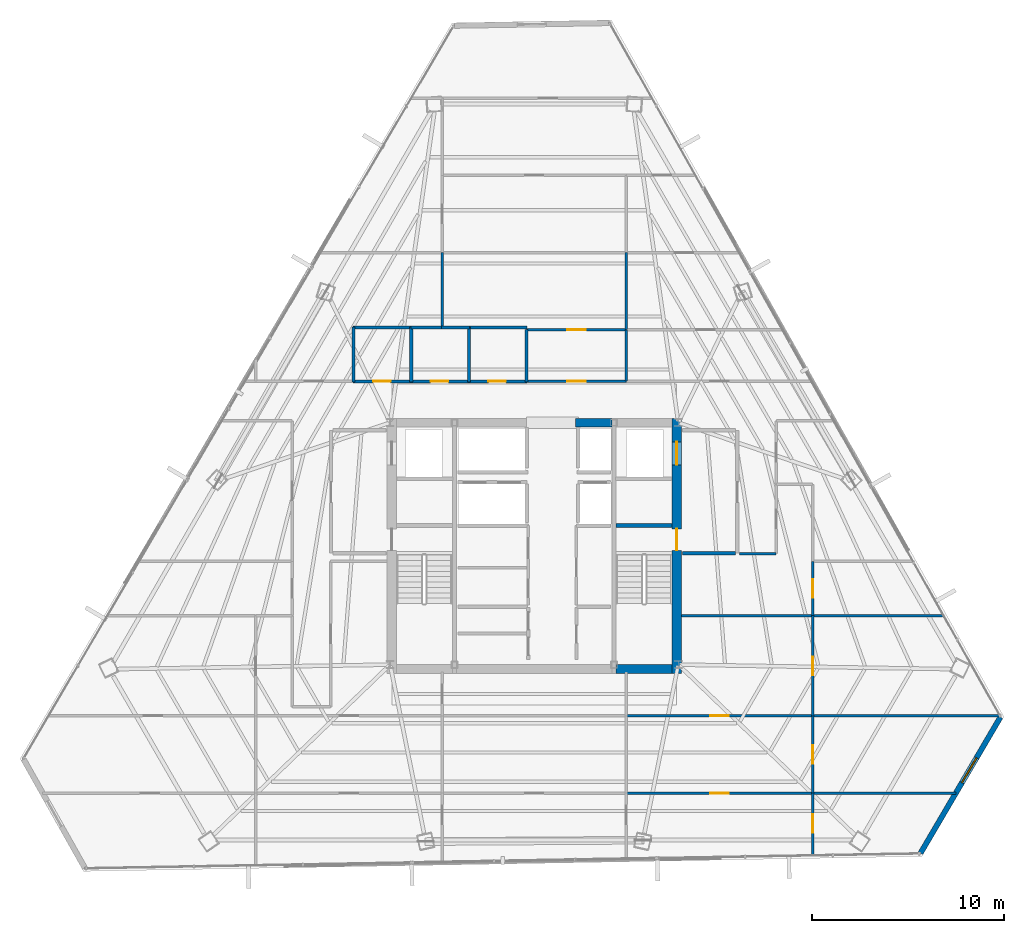
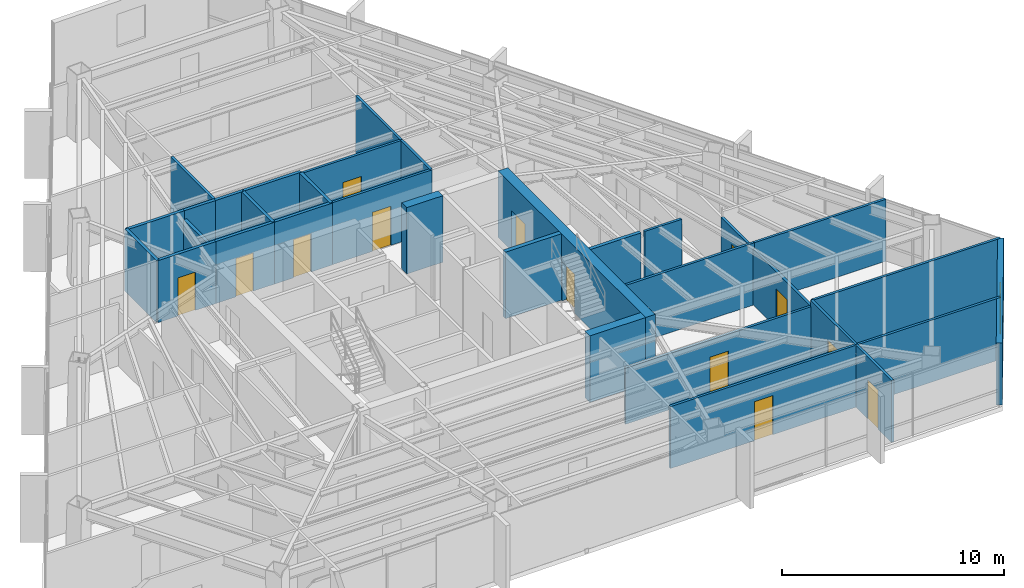
# One storey, part 38 of 44: 33 walls, 13 doors, 1 window, 14 openings.
"""IFC4 building model written with IfcOpenShell, lengths in metres."""

from ifc_helpers import new_model, si_unit, direction, frame, frame_2d, origin, place, context, subcontext, project, spatial, rectangle, extrude, material, layer, layer_set, type_object, element, fill, save


model = new_model("IFC4")

# Units and contexts
model_context = context("Model", 3, precision=1e-05, world=origin(), true_north=direction((0.0, 1.0)))
body_context = subcontext(model_context, "Body", "Model", "MODEL_VIEW")
ifc_project = project(units=[si_unit("LENGTHUNIT", "METRE"), si_unit("AREAUNIT", "SQUARE_METRE"), si_unit("VOLUMEUNIT", "CUBIC_METRE"), si_unit("PLANEANGLEUNIT", "RADIAN"), si_unit("MASSUNIT", "GRAM", prefix="KILO")], contexts=[model_context])

# Site, building, storey
site_placement = place(None, origin())
site = spatial("IfcSite", under=ifc_project, at=site_placement, CompositionType="ELEMENT")
building_placement = place(site_placement, origin())
building = spatial("IfcBuilding", under=site, at=building_placement, Name="Caelisora Broadcast Tower", CompositionType="ELEMENT")
storey_placement = place(building_placement, frame((0.0, 0.0, 198.64990234375)))
storey = spatial("IfcBuildingStorey", under=building, at=storey_placement, Name="L52", CompositionType="ELEMENT", Elevation=198.64990234375)

# Wall, openings, doors
ifc_material_1 = material(Name="Concrete 50 MPa (AS 3600 S50)", Category="concrete")
ifc_layer_1 = layer(ifc_material_1, 0.5, Name="Concrete 50 MPa (AS 3600 S50)")
ifc_layer_set_1 = layer_set([ifc_layer_1], Name="Concrete 50 MPa (AS 3600 S50)")
wall_type_1 = type_object("IfcWallType", Name="CW2", PredefinedType="SHEAR", material=ifc_layer_set_1)
wall_1_placement = place(storey_placement, frame((45.409912109375, 16.949951171875, 0.0), z_axis=(0.0, 0.0, 1.0), x_axis=(0.0, 1.0, 0.0)))
wall_1 = element("IfcWall", 1, at=wall_1_placement, inside=storey, type_object=wall_type_1, Name="L52 core shear wall CW2", PredefinedType="SHEAR", context=body_context, shape_type="SweptSolid", body=[
    extrude(rectangle(XDim=13.275146484375, YDim=0.5, at=frame_2d((6.6376953125, 0.0))), origin(), (0.0, 0.0, 1.0), 3.650146484375),
])
opening_1_placement = place(wall_1_placement, frame((6.39990234375, 0.0, 0.0)))
opening_1 = element("IfcOpeningElement", 2, at=opening_1_placement, cuts=wall_1, Name="Opening FD04", PredefinedType="OPENING", context=body_context, shape_type="SweptSolid", body=[
    extrude(rectangle(XDim=1.1201171875, YDim=2.14990234375, at=frame_2d((0.56005859375, 1.074951171875))), frame((0.0, 0.261962890625, 0.0), z_axis=(0.0, -1.0, 0.0), x_axis=(1.0, 0.0, 0.0)), (0.0, 0.0, 1.0), 0.52392578125),
])
opening_2_placement = place(wall_1_placement, frame((10.85009765625, 0.0, 0.0)))
opening_2 = element("IfcOpeningElement", 3, at=opening_2_placement, cuts=wall_1, Name="Opening LD04", PredefinedType="OPENING", context=body_context, shape_type="SweptSolid", body=[
    extrude(rectangle(XDim=1.199951171875, YDim=2.199951171875, at=frame_2d((0.60009765625, 1.10009765625))), frame((0.0, 0.261962890625, 0.0), z_axis=(0.0, -1.0, 0.0), x_axis=(1.0, 0.0, 0.0)), (0.0, 0.0, 1.0), 0.52392578125),
])
ifc_material_2 = material(Name="Pressurised Fire-Isolated Stair Door", Category="steel")
door_type_1 = type_object("IfcDoorType", Name="FD04", OperationType="NOTDEFINED", PredefinedType="DOOR", material=ifc_material_2)
door_1_placement = place(opening_1_placement, origin())
door_1 = element("IfcDoor", 4, at=door_1_placement, inside=storey, type_object=door_type_1, Name="L52 door FD04 (L52-DR-ST2)", OperationType="SINGLE_SWING_RIGHT", OverallHeight=2.14990234375, OverallWidth=1.1201171875, PredefinedType="DOOR", context=body_context, shape_type="SweptSolid", body=[
    extrude(rectangle(XDim=1.1201171875, YDim=2.14990234375, at=frame_2d((0.56005859375, 1.074951171875))), frame((0.0, 0.02490234375, 0.0), z_axis=(0.0, -1.0, 0.0), x_axis=(1.0, 0.0, 0.0)), (0.0, 0.0, 1.0), 0.050048828125),
])
fill(opening_1, door_1)
ifc_material_3 = material(Name="Emergency Firefighting Lift Sliding Landing Door", Category="steel")
door_type_2 = type_object("IfcDoorType", Name="LD04", OperationType="NOTDEFINED", PredefinedType="DOOR", material=ifc_material_3)
door_2_placement = place(opening_2_placement, origin())
door_2 = element("IfcDoor", 5, at=door_2_placement, inside=storey, type_object=door_type_2, Name="L52 door LD04 (L52-LD-FFL2)", OperationType="SLIDING_TO_RIGHT", OverallHeight=2.199951171875, OverallWidth=1.199951171875, PredefinedType="DOOR", context=body_context, shape_type="SweptSolid", body=[
    extrude(rectangle(XDim=1.199951171875, YDim=2.199951171875, at=frame_2d((0.60009765625, 1.10009765625))), frame((0.0, 0.02490234375, 0.0), z_axis=(0.0, -1.0, 0.0), x_axis=(1.0, 0.0, 0.0)), (0.0, 0.0, 1.0), 0.050048828125),
])
fill(opening_2, door_2)

# Walls
ifc_layer_2 = layer(ifc_material_1, 0.449951171875, Name="Concrete 50 MPa (AS 3600 S50)")
ifc_layer_set_2 = layer_set([ifc_layer_2], Name="Concrete 50 MPa (AS 3600 S50)")
wall_type_2 = type_object("IfcWallType", Name="CW5", PredefinedType="SHEAR", material=ifc_layer_set_2)
wall_2_placement = place(storey_placement, frame((42.260009765625, 17.175048828125, 0.0), z_axis=(0.0, 0.0, 1.0), x_axis=(1.0, 0.0, 0.0)))
element("IfcWall", 6, at=wall_2_placement, inside=storey, type_object=wall_type_2, Name="L52 core shear wall CW5", PredefinedType="SHEAR", context=body_context, shape_type="SweptSolid", body=[
    extrude(rectangle(XDim=2.89990234375, YDim=0.449951171875, at=frame_2d((1.449951171875, 0.0))), origin(), (0.0, 0.0, 1.0), 3.650146484375),
])
wall_3_placement = place(storey_placement, frame((40.159912109375, 30.0, 0.0), z_axis=(0.0, 0.0, 1.0), x_axis=(1.0, 0.0, 0.0)))
element("IfcWall", 7, at=wall_3_placement, inside=storey, type_object=wall_type_2, Name="L52 core shear wall CW5", PredefinedType="SHEAR", context=body_context, shape_type="SweptSolid", body=[
    extrude(rectangle(XDim=1.880126953125, YDim=0.449951171875, at=frame_2d((0.93994140625, 0.0))), origin(), (0.0, 0.0, 1.0), 3.650146484375),
])
ifc_layer_3 = layer(ifc_material_1, 0.219970703125, Name="Concrete 50 MPa (AS 3600 S50)")
ifc_layer_set_3 = layer_set([ifc_layer_3], Name="Concrete 50 MPa (AS 3600 S50)")
wall_type_3 = type_object("IfcWallType", Name="CW7", PredefinedType="SHEAR", material=ifc_layer_set_3)
wall_4_placement = place(storey_placement, frame((42.260009765625, 24.639892578125, 0.0), z_axis=(0.0, 0.0, 1.0), x_axis=(1.0, 0.0, 0.0)))
element("IfcWall", 8, at=wall_4_placement, inside=storey, type_object=wall_type_3, Name="L52 core shear wall CW7", PredefinedType="SHEAR", context=body_context, shape_type="SweptSolid", body=[
    extrude(rectangle(XDim=2.89990234375, YDim=0.219970703125, at=frame_2d((1.449951171875, 0.0))), origin(), (0.0, 0.0, 1.0), 3.650146484375),
])

# Wall, opening, window
ifc_material_4 = material(Name="Insulated Terracotta Spandrel Wall System", Category="masonry")
ifc_layer_4 = layer(ifc_material_4, 0.280029296875, Name="Insulated Terracotta Spandrel Wall System")
ifc_layer_set_4 = layer_set([ifc_layer_4], Name="Insulated Terracotta Spandrel Wall System")
wall_type_4 = type_object("IfcWallType", Name="EW1", PredefinedType="STANDARD", material=ifc_layer_set_4)
wall_5_placement = place(storey_placement, frame((62.266845703125, 14.662109375, 0.0), z_axis=(0.0, 0.0, 1.0), x_axis=(-0.506422908515, -0.862285241513, 0.0)))
wall_5 = element("IfcWall", 9, at=wall_5_placement, inside=storey, type_object=wall_type_4, Name="L52 exterior envelope wall EW1", PredefinedType="STANDARD", context=body_context, shape_type="SweptSolid", body=[
    extrude(rectangle(XDim=8.20166015625, YDim=0.280029296875, at=frame_2d((4.100830078125, 0.0))), origin(), (0.0, 0.0, 1.0), 3.400146484375),
])
opening_3_placement = place(wall_5_placement, frame((2.449951171875, 0.0, 0.89990234375)))
opening_3 = element("IfcOpeningElement", 10, at=opening_3_placement, cuts=wall_5, Name="Opening W02", PredefinedType="OPENING", context=body_context, shape_type="SweptSolid", body=[
    extrude(rectangle(XDim=1.5, YDim=1.800048828125, at=frame_2d((0.75, 0.89990234375))), frame((0.0, 0.152099609375, 0.0), z_axis=(0.0, -1.0, 0.0), x_axis=(1.0, 0.0, 0.0)), (0.0, 0.0, 1.0), 0.303955078125),
])
ifc_material_5 = material(Name="Double Glazed Terracotta-Framed Vision Window", Category="glass")
window_type = type_object("IfcWindowType", Name="W02", PartitioningType="SINGLE_PANEL", PredefinedType="WINDOW", material=ifc_material_5)
window_placement = place(opening_3_placement, origin())
window = element("IfcWindow", 11, at=window_placement, inside=storey, type_object=window_type, Name="L52 window W02 (L52-WN-CH0)", OverallHeight=1.800048828125, OverallWidth=1.5, PartitioningType="SINGLE_PANEL", PredefinedType="WINDOW", context=body_context, shape_type="SweptSolid", body=[
    extrude(rectangle(XDim=1.5, YDim=1.800048828125, at=frame_2d((0.75, 0.89990234375))), frame((0.0, 0.030029296875, 0.0), z_axis=(0.0, -1.0, 0.0), x_axis=(1.0, 0.0, 0.0)), (0.0, 0.0, 1.0), 0.06005859375),
])
fill(opening_3, window)

# Walls
ifc_material_6 = material(Name="Fire-Rated Gypsum Shaft and Compartment Wall", Category="gypsum")
ifc_layer_5 = layer(ifc_material_6, 0.179931640625, Name="Fire-Rated Gypsum Shaft and Compartment Wall")
ifc_layer_set_5 = layer_set([ifc_layer_5], Name="Fire-Rated Gypsum Shaft and Compartment Wall")
wall_type_5 = type_object("IfcWallType", Name="PW2", PredefinedType="PARTITIONING", material=ifc_layer_set_5)
wall_6_placement = place(storey_placement, frame((45.719970703125, 23.199951171875, 0.0), z_axis=(0.0, 0.0, 1.0), x_axis=(1.0, 0.0, 0.0)))
element("IfcWall", 12, at=wall_6_placement, inside=storey, type_object=wall_type_5, Name="L52 fire compartment wall PW2", PredefinedType="PARTITIONING", context=body_context, shape_type="SweptSolid", body=[
    extrude(rectangle(XDim=2.760009765625, YDim=0.179931640625, at=frame_2d((1.3798828125, 0.0))), origin(), (0.0, 0.0, 1.0), 3.400146484375),
])
ifc_material_7 = material(Name="Acoustic Steel-Stud Plasterboard Partition", Category="gypsum")
ifc_layer_6 = layer(ifc_material_7, 0.1298828125, Name="Acoustic Steel-Stud Plasterboard Partition")
ifc_layer_set_6 = layer_set([ifc_layer_6], Name="Acoustic Steel-Stud Plasterboard Partition")
wall_type_6 = type_object("IfcWallType", Name="PW3", PredefinedType="PARTITIONING", material=ifc_layer_set_6)
wall_7_placement = place(storey_placement, frame((52.5048828125, 14.72998046875, 0.0), z_axis=(0.0, 0.0, 1.0), x_axis=(1.0, 0.0, 0.0)))
element("IfcWall", 13, at=wall_7_placement, inside=storey, type_object=wall_type_6, Name="L52 internal partition PW3", PredefinedType="PARTITIONING", context=body_context, shape_type="SweptSolid", body=[
    extrude(rectangle(XDim=9.759033203125, YDim=0.1298828125, at=frame_2d((4.87939453125, 0.0))), origin(), (0.0, 0.0, 1.0), 3.400146484375),
])

# Wall, opening, door
wall_8_placement = place(storey_placement, frame((42.804931640625, 10.7099609375, 0.0), z_axis=(0.0, 0.0, 1.0), x_axis=(1.0, 0.0, 0.0)))
wall_8 = element("IfcWall", 14, at=wall_8_placement, inside=storey, type_object=wall_type_6, Name="L52 internal partition PW3", PredefinedType="PARTITIONING", context=body_context, shape_type="SweptSolid", body=[
    extrude(rectangle(XDim=9.690185546875, YDim=0.1298828125, at=frame_2d((4.84521484375, 0.0))), origin(), (0.0, 0.0, 1.0), 3.400146484375),
])
opening_4_placement = place(wall_8_placement, frame((4.364990234375, 0.0, 0.0)))
opening_4 = element("IfcOpeningElement", 15, at=opening_4_placement, cuts=wall_8, Name="Opening D01", PredefinedType="OPENING", context=body_context, shape_type="SweptSolid", body=[
    extrude(rectangle(XDim=0.9599609375, YDim=2.14990234375, at=frame_2d((0.47998046875, 1.074951171875))), frame((0.0, 0.076904296875, 0.0), z_axis=(0.0, -1.0, 0.0), x_axis=(1.0, 0.0, 0.0)), (0.0, 0.0, 1.0), 0.15380859375),
])
ifc_material_8 = material(Name="Solid-Core Timber Acoustic Office Door", Category="wood")
door_type_3 = type_object("IfcDoorType", Name="D01", OperationType="NOTDEFINED", PredefinedType="DOOR", material=ifc_material_8)
door_3_placement = place(opening_4_placement, origin())
door_3 = element("IfcDoor", 16, at=door_3_placement, inside=storey, type_object=door_type_3, Name="L52 door D01 (L52-DR-P36D1)", OperationType="SINGLE_SWING_RIGHT", OverallHeight=2.14990234375, OverallWidth=0.9599609375, PredefinedType="DOOR", context=body_context, shape_type="SweptSolid", body=[
    extrude(rectangle(XDim=0.9599609375, YDim=2.14990234375, at=frame_2d((0.47998046875, 1.074951171875))), frame((0.0, 0.02490234375, 0.0), z_axis=(0.0, -1.0, 0.0), x_axis=(1.0, 0.0, 0.0)), (0.0, 0.0, 1.0), 0.050048828125),
])
fill(opening_4, door_3)

wall_9_placement = place(storey_placement, frame((42.804931640625, 14.72998046875, 0.0), z_axis=(0.0, 0.0, 1.0), x_axis=(1.0, 0.0, 0.0)))
wall_9 = element("IfcWall", 17, at=wall_9_placement, inside=storey, type_object=wall_type_6, Name="L52 internal partition PW3", PredefinedType="PARTITIONING", context=body_context, shape_type="SweptSolid", body=[
    extrude(rectangle(XDim=9.690185546875, YDim=0.1298828125, at=frame_2d((4.84521484375, 0.0))), origin(), (0.0, 0.0, 1.0), 3.077880859375),
])
opening_5_placement = place(wall_9_placement, frame((4.364990234375, 0.0, 0.0)))
opening_5 = element("IfcOpeningElement", 18, at=opening_5_placement, cuts=wall_9, Name="Opening D01", PredefinedType="OPENING", context=body_context, shape_type="SweptSolid", body=[
    extrude(rectangle(XDim=0.9599609375, YDim=2.14990234375, at=frame_2d((0.47998046875, 1.074951171875))), frame((0.0, 0.076904296875, 0.0), z_axis=(0.0, -1.0, 0.0), x_axis=(1.0, 0.0, 0.0)), (0.0, 0.0, 1.0), 0.15380859375),
])
door_4_placement = place(opening_5_placement, origin())
door_4 = element("IfcDoor", 19, at=door_4_placement, inside=storey, type_object=door_type_3, Name="L52 door D01 (L52-DR-P37D1)", OperationType="SINGLE_SWING_LEFT", OverallHeight=2.14990234375, OverallWidth=0.9599609375, PredefinedType="DOOR", context=body_context, shape_type="SweptSolid", body=[
    extrude(rectangle(XDim=0.9599609375, YDim=2.14990234375, at=frame_2d((0.47998046875, 1.074951171875))), frame((0.0, 0.02490234375, 0.0), z_axis=(0.0, -1.0, 0.0), x_axis=(1.0, 0.0, 0.0)), (0.0, 0.0, 1.0), 0.050048828125),
])
fill(opening_5, door_4)

# Walls
wall_10_placement = place(storey_placement, frame((52.5048828125, 10.7099609375, 0.0), z_axis=(0.0, 0.0, 1.0), x_axis=(1.0, 0.0, 0.0)))
element("IfcWall", 20, at=wall_10_placement, inside=storey, type_object=wall_type_6, Name="L52 internal partition PW3", PredefinedType="PARTITIONING", context=body_context, shape_type="SweptSolid", body=[
    extrude(rectangle(XDim=7.44677734375, YDim=0.1298828125, at=frame_2d((3.723388671875, 0.0))), origin(), (0.0, 0.0, 1.0), 3.400146484375),
])
wall_11_placement = place(storey_placement, frame((52.5048828125, 19.949951171875, 0.0), z_axis=(0.0, 0.0, 1.0), x_axis=(1.0, 0.0, 0.0)))
element("IfcWall", 21, at=wall_11_placement, inside=storey, type_object=wall_type_6, Name="L52 internal partition PW3", PredefinedType="PARTITIONING", context=body_context, shape_type="SweptSolid", body=[
    extrude(rectangle(XDim=6.817138671875, YDim=0.1298828125, at=frame_2d((3.40869140625, 0.0))), origin(), (0.0, 0.0, 1.0), 3.400146484375),
])
wall_12_placement = place(storey_placement, frame((45.675048828125, 19.949951171875, 0.0), z_axis=(0.0, 0.0, 1.0), x_axis=(1.0, 0.0, 0.0)))
element("IfcWall", 22, at=wall_12_placement, inside=storey, type_object=wall_type_6, Name="L52 internal partition PW3", PredefinedType="PARTITIONING", context=body_context, shape_type="SweptSolid", body=[
    extrude(rectangle(XDim=6.820068359375, YDim=0.1298828125, at=frame_2d((3.41015625, 0.0))), origin(), (0.0, 0.0, 1.0), 3.400146484375),
])

# Wall, opening, door
wall_13_placement = place(storey_placement, frame((52.5, 14.735107421875, 0.0), z_axis=(0.0, 0.0, 1.0), x_axis=(0.0, 1.0, 0.0)))
wall_13 = element("IfcWall", 23, at=wall_13_placement, inside=storey, type_object=wall_type_6, Name="L52 internal partition PW3", PredefinedType="PARTITIONING", context=body_context, shape_type="SweptSolid", body=[
    extrude(rectangle(XDim=5.2099609375, YDim=0.1298828125, at=frame_2d((2.60498046875, 0.0))), origin(), (0.0, 0.0, 1.0), 3.077880859375),
])
opening_6_placement = place(wall_13_placement, frame((2.125, 0.0, 0.0)))
opening_6 = element("IfcOpeningElement", 24, at=opening_6_placement, cuts=wall_13, Name="Opening D01", PredefinedType="OPENING", context=body_context, shape_type="SweptSolid", body=[
    extrude(rectangle(XDim=0.9599609375, YDim=2.14990234375, at=frame_2d((0.47998046875, 1.074951171875))), frame((0.0, 0.076904296875, 0.0), z_axis=(0.0, -1.0, 0.0), x_axis=(1.0, 0.0, 0.0)), (0.0, 0.0, 1.0), 0.15380859375),
])
door_5_placement = place(opening_6_placement, origin())
door_5 = element("IfcDoor", 25, at=door_5_placement, inside=storey, type_object=door_type_3, Name="L52 door D01 (L52-DR-P55D1)", OperationType="SINGLE_SWING_LEFT", OverallHeight=2.14990234375, OverallWidth=0.9599609375, PredefinedType="DOOR", context=body_context, shape_type="SweptSolid", body=[
    extrude(rectangle(XDim=0.9599609375, YDim=2.14990234375, at=frame_2d((0.47998046875, 1.074951171875))), frame((0.0, 0.02490234375, 0.0), z_axis=(0.0, -1.0, 0.0), x_axis=(1.0, 0.0, 0.0)), (0.0, 0.0, 1.0), 0.050048828125),
])
fill(opening_6, door_5)

wall_14_placement = place(storey_placement, frame((37.60498046875, 32.14990234375, 0.0), z_axis=(0.0, 0.0, 1.0), x_axis=(1.0, 0.0, 0.0)))
wall_14 = element("IfcWall", 26, at=wall_14_placement, inside=storey, type_object=wall_type_6, Name="L52 internal partition PW3", PredefinedType="PARTITIONING", context=body_context, shape_type="SweptSolid", body=[
    extrude(rectangle(XDim=5.18994140625, YDim=0.1298828125, at=frame_2d((2.594970703125, 0.0))), origin(), (0.0, 0.0, 1.0), 3.400146484375),
])
opening_7_placement = place(wall_14_placement, frame((2.114990234375, 0.0, 0.0)))
opening_7 = element("IfcOpeningElement", 27, at=opening_7_placement, cuts=wall_14, Name="Opening D01", PredefinedType="OPENING", context=body_context, shape_type="SweptSolid", body=[
    extrude(rectangle(XDim=0.9599609375, YDim=2.14990234375, at=frame_2d((0.47998046875, 1.074951171875))), frame((0.0, 0.076904296875, 0.0), z_axis=(0.0, -1.0, 0.0), x_axis=(1.0, 0.0, 0.0)), (0.0, 0.0, 1.0), 0.15380859375),
])
door_6_placement = place(opening_7_placement, origin())
door_6 = element("IfcDoor", 28, at=door_6_placement, inside=storey, type_object=door_type_3, Name="L52 door D01 (L52-DR-P56D1)", OperationType="SINGLE_SWING_RIGHT", OverallHeight=2.14990234375, OverallWidth=0.9599609375, PredefinedType="DOOR", context=body_context, shape_type="SweptSolid", body=[
    extrude(rectangle(XDim=0.9599609375, YDim=2.14990234375, at=frame_2d((0.47998046875, 1.074951171875))), frame((0.0, 0.02490234375, 0.0), z_axis=(0.0, -1.0, 0.0), x_axis=(1.0, 0.0, 0.0)), (0.0, 0.0, 1.0), 0.050048828125),
])
fill(opening_7, door_6)

wall_15_placement = place(storey_placement, frame((37.60498046875, 34.830078125, 0.0), z_axis=(0.0, 0.0, 1.0), x_axis=(1.0, 0.0, 0.0)))
wall_15 = element("IfcWall", 29, at=wall_15_placement, inside=storey, type_object=wall_type_6, Name="L52 internal partition PW3", PredefinedType="PARTITIONING", context=body_context, shape_type="SweptSolid", body=[
    extrude(rectangle(XDim=5.18994140625, YDim=0.1298828125, at=frame_2d((2.594970703125, 0.0))), origin(), (0.0, 0.0, 1.0), 3.400146484375),
])
opening_8_placement = place(wall_15_placement, frame((2.114990234375, 0.0, 0.0)))
opening_8 = element("IfcOpeningElement", 30, at=opening_8_placement, cuts=wall_15, Name="Opening D01", PredefinedType="OPENING", context=body_context, shape_type="SweptSolid", body=[
    extrude(rectangle(XDim=0.9599609375, YDim=2.14990234375, at=frame_2d((0.47998046875, 1.074951171875))), frame((0.0, 0.076904296875, 0.0), z_axis=(0.0, -1.0, 0.0), x_axis=(1.0, 0.0, 0.0)), (0.0, 0.0, 1.0), 0.15380859375),
])
door_7_placement = place(opening_8_placement, origin())
door_7 = element("IfcDoor", 31, at=door_7_placement, inside=storey, type_object=door_type_3, Name="L52 door D01 (L52-DR-P57D1)", OperationType="SINGLE_SWING_LEFT", OverallHeight=2.14990234375, OverallWidth=0.9599609375, PredefinedType="DOOR", context=body_context, shape_type="SweptSolid", body=[
    extrude(rectangle(XDim=0.9599609375, YDim=2.14990234375, at=frame_2d((0.47998046875, 1.074951171875))), frame((0.0, 0.02490234375, 0.0), z_axis=(0.0, -1.0, 0.0), x_axis=(1.0, 0.0, 0.0)), (0.0, 0.0, 1.0), 0.050048828125),
])
fill(opening_8, door_7)

# Wall
wall_16_placement = place(storey_placement, frame((42.800048828125, 34.8349609375, 0.0), z_axis=(0.0, 0.0, 1.0), x_axis=(0.0, 1.0, 0.0)))
element("IfcWall", 32, at=wall_16_placement, inside=storey, type_object=wall_type_6, Name="L52 internal partition PW3", PredefinedType="PARTITIONING", context=body_context, shape_type="SweptSolid", body=[
    extrude(rectangle(XDim=4.010009765625, YDim=0.1298828125, at=frame_2d((2.0048828125, 0.0))), origin(), (0.0, 0.0, 1.0), 3.400146484375),
])

# Wall, opening, door
wall_17_placement = place(storey_placement, frame((52.5, 10.715087890625, 0.0), z_axis=(0.0, 0.0, 1.0), x_axis=(0.0, 1.0, 0.0)))
wall_17 = element("IfcWall", 33, at=wall_17_placement, inside=storey, type_object=wall_type_6, Name="L52 internal partition PW3", PredefinedType="PARTITIONING", context=body_context, shape_type="SweptSolid", body=[
    extrude(rectangle(XDim=4.010009765625, YDim=0.1298828125, at=frame_2d((2.0048828125, 0.0))), origin(), (0.0, 0.0, 1.0), 3.400146484375),
])
opening_9_placement = place(wall_17_placement, frame((1.52490234375, 0.0, 0.0)))
opening_9 = element("IfcOpeningElement", 34, at=opening_9_placement, cuts=wall_17, Name="Opening D01", PredefinedType="OPENING", context=body_context, shape_type="SweptSolid", body=[
    extrude(rectangle(XDim=0.9599609375, YDim=2.14990234375, at=frame_2d((0.47998046875, 1.074951171875))), frame((0.0, 0.076904296875, 0.0), z_axis=(0.0, -1.0, 0.0), x_axis=(1.0, 0.0, 0.0)), (0.0, 0.0, 1.0), 0.15380859375),
])
door_8_placement = place(opening_9_placement, origin())
door_8 = element("IfcDoor", 35, at=door_8_placement, inside=storey, type_object=door_type_3, Name="L52 door D01 (L52-DR-P65D1)", OperationType="SINGLE_SWING_LEFT", OverallHeight=2.14990234375, OverallWidth=0.9599609375, PredefinedType="DOOR", context=body_context, shape_type="SweptSolid", body=[
    extrude(rectangle(XDim=0.9599609375, YDim=2.14990234375, at=frame_2d((0.47998046875, 1.074951171875))), frame((0.0, 0.02490234375, 0.0), z_axis=(0.0, -1.0, 0.0), x_axis=(1.0, 0.0, 0.0)), (0.0, 0.0, 1.0), 0.050048828125),
])
fill(opening_9, door_8)

# Wall
wall_18_placement = place(storey_placement, frame((33.199951171875, 34.955078125, 0.0), z_axis=(0.0, 0.0, 1.0), x_axis=(0.0, 1.0, 0.0)))
element("IfcWall", 36, at=wall_18_placement, inside=storey, type_object=wall_type_6, Name="L52 internal partition PW3", PredefinedType="PARTITIONING", context=body_context, shape_type="SweptSolid", body=[
    extrude(rectangle(XDim=3.889892578125, YDim=0.1298828125, at=frame_2d((1.94482421875, 0.0))), origin(), (0.0, 0.0, 1.0), 3.400146484375),
])

# Wall, opening, door
wall_19_placement = place(storey_placement, frame((52.5, 7.459716796875, 0.0), z_axis=(0.0, 0.0, 1.0), x_axis=(0.0, 1.0, 0.0)))
wall_19 = element("IfcWall", 37, at=wall_19_placement, inside=storey, type_object=wall_type_6, Name="L52 internal partition PW3", PredefinedType="PARTITIONING", context=body_context, shape_type="SweptSolid", body=[
    extrude(rectangle(XDim=3.245361328125, YDim=0.1298828125, at=frame_2d((1.62255859375, 0.0))), origin(), (0.0, 0.0, 1.0), 3.400146484375),
])
opening_10_placement = place(wall_19_placement, frame((1.19189453125, 0.0, 0.0)))
opening_10 = element("IfcOpeningElement", 38, at=opening_10_placement, cuts=wall_19, Name="Opening D01", PredefinedType="OPENING", context=body_context, shape_type="SweptSolid", body=[
    extrude(rectangle(XDim=0.9599609375, YDim=2.14990234375, at=frame_2d((0.47998046875, 1.074951171875))), frame((0.0, 0.076904296875, 0.0), z_axis=(0.0, -1.0, 0.0), x_axis=(1.0, 0.0, 0.0)), (0.0, 0.0, 1.0), 0.15380859375),
])
door_9_placement = place(opening_10_placement, origin())
door_9 = element("IfcDoor", 39, at=door_9_placement, inside=storey, type_object=door_type_3, Name="L52 door D01 (L52-DR-P76D1)", OperationType="SINGLE_SWING_LEFT", OverallHeight=2.14990234375, OverallWidth=0.9599609375, PredefinedType="DOOR", context=body_context, shape_type="SweptSolid", body=[
    extrude(rectangle(XDim=0.9599609375, YDim=2.14990234375, at=frame_2d((0.47998046875, 1.074951171875))), frame((0.0, 0.02490234375, 0.0), z_axis=(0.0, -1.0, 0.0), x_axis=(1.0, 0.0, 0.0)), (0.0, 0.0, 1.0), 0.050048828125),
])
fill(opening_10, door_9)

wall_20_placement = place(storey_placement, frame((52.5, 19.955078125, 0.0), z_axis=(0.0, 0.0, 1.0), x_axis=(0.0, 1.0, 0.0)))
wall_20 = element("IfcWall", 40, at=wall_20_placement, inside=storey, type_object=wall_type_6, Name="L52 internal partition PW3", PredefinedType="PARTITIONING", context=body_context, shape_type="SweptSolid", body=[
    extrude(rectangle(XDim=2.809814453125, YDim=0.1298828125, at=frame_2d((1.40478515625, 0.0))), origin(), (0.0, 0.0, 1.0), 3.077880859375),
])
opening_11_placement = place(wall_20_placement, frame((0.925048828125, 0.0, 0.0)))
opening_11 = element("IfcOpeningElement", 41, at=opening_11_placement, cuts=wall_20, Name="Opening D01", PredefinedType="OPENING", context=body_context, shape_type="SweptSolid", body=[
    extrude(rectangle(XDim=0.9599609375, YDim=2.14990234375, at=frame_2d((0.47998046875, 1.074951171875))), frame((0.0, 0.076904296875, 0.0), z_axis=(0.0, -1.0, 0.0), x_axis=(1.0, 0.0, 0.0)), (0.0, 0.0, 1.0), 0.15380859375),
])
door_10_placement = place(opening_11_placement, origin())
door_10 = element("IfcDoor", 42, at=door_10_placement, inside=storey, type_object=door_type_3, Name="L52 door D01 (L52-DR-P81D1)", OperationType="SINGLE_SWING_RIGHT", OverallHeight=2.14990234375, OverallWidth=0.9599609375, PredefinedType="DOOR", context=body_context, shape_type="SweptSolid", body=[
    extrude(rectangle(XDim=0.9599609375, YDim=2.14990234375, at=frame_2d((0.47998046875, 1.074951171875))), frame((0.0, 0.02490234375, 0.0), z_axis=(0.0, -1.0, 0.0), x_axis=(1.0, 0.0, 0.0)), (0.0, 0.0, 1.0), 0.050048828125),
])
fill(opening_11, door_10)

# Walls
wall_21_placement = place(storey_placement, frame((42.800048828125, 32.155029296875, 0.0), z_axis=(0.0, 0.0, 1.0), x_axis=(0.0, 1.0, 0.0)))
element("IfcWall", 43, at=wall_21_placement, inside=storey, type_object=wall_type_6, Name="L52 internal partition PW3", PredefinedType="PARTITIONING", context=body_context, shape_type="SweptSolid", body=[
    extrude(rectangle(XDim=2.669921875, YDim=0.1298828125, at=frame_2d((1.3349609375, 0.0))), origin(), (0.0, 0.0, 1.0), 3.400146484375),
])
wall_22_placement = place(storey_placement, frame((48.675048828125, 23.179931640625, 0.0), z_axis=(0.0, 0.0, 1.0), x_axis=(1.0, 0.0, 0.0)))
element("IfcWall", 44, at=wall_22_placement, inside=storey, type_object=wall_type_6, Name="L52 internal partition PW3", PredefinedType="PARTITIONING", context=body_context, shape_type="SweptSolid", body=[
    extrude(rectangle(XDim=1.919921875, YDim=0.1298828125, at=frame_2d((0.9599609375, 0.0))), origin(), (0.0, 0.0, 1.0), 3.400146484375),
])

# Wall, opening, door
ifc_material_9 = material(Name="Moisture-Resistant Wet Plumbing Service Wall", Category="gypsum")
ifc_layer_7 = layer(ifc_material_9, 0.159912109375, Name="Moisture-Resistant Wet Plumbing Service Wall")
ifc_layer_set_7 = layer_set([ifc_layer_7], Name="Moisture-Resistant Wet Plumbing Service Wall")
wall_type_7 = type_object("IfcWallType", Name="PW4", PredefinedType="PLUMBINGWALL", material=ifc_layer_set_7)
wall_23_placement = place(storey_placement, frame((28.574951171875, 32.14990234375, 0.0), z_axis=(0.0, 0.0, 1.0), x_axis=(1.0, 0.0, 0.0)))
wall_23 = element("IfcWall", 45, at=wall_23_placement, inside=storey, type_object=wall_type_7, Name="L52 wet plumbing wall PW4", PredefinedType="PLUMBINGWALL", context=body_context, shape_type="SweptSolid", body=[
    extrude(rectangle(XDim=3.050048828125, YDim=0.159912109375, at=frame_2d((1.52490234375, 0.0))), origin(), (0.0, 0.0, 1.0), 3.400146484375),
])
opening_12_placement = place(wall_23_placement, frame((1.034912109375, 0.0, 0.0)))
opening_12 = element("IfcOpeningElement", 46, at=opening_12_placement, cuts=wall_23, Name="Opening D03", PredefinedType="OPENING", context=body_context, shape_type="SweptSolid", body=[
    extrude(rectangle(XDim=0.919921875, YDim=2.10009765625, at=frame_2d((0.4599609375, 1.050048828125))), frame((0.0, 0.092041015625, 0.0), z_axis=(0.0, -1.0, 0.0), x_axis=(1.0, 0.0, 0.0)), (0.0, 0.0, 1.0), 0.183837890625),
])
ifc_material_10 = material(Name="Laminate Moisture-Resistant Amenity WC Door", Category="wood")
door_type_4 = type_object("IfcDoorType", Name="D03", OperationType="NOTDEFINED", PredefinedType="DOOR", material=ifc_material_10)
door_11_placement = place(opening_12_placement, origin())
door_11 = element("IfcDoor", 47, at=door_11_placement, inside=storey, type_object=door_type_4, Name="L52 door D03 (L52-DR-P17D1)", OperationType="SINGLE_SWING_LEFT", OverallHeight=2.10009765625, OverallWidth=0.919921875, PredefinedType="DOOR", context=body_context, shape_type="SweptSolid", body=[
    extrude(rectangle(XDim=0.919921875, YDim=2.10009765625, at=frame_2d((0.4599609375, 1.050048828125))), frame((0.0, 0.02490234375, 0.0), z_axis=(0.0, -1.0, 0.0), x_axis=(1.0, 0.0, 0.0)), (0.0, 0.0, 1.0), 0.050048828125),
])
fill(opening_12, door_11)

wall_24_placement = place(storey_placement, frame((31.574951171875, 32.14990234375, 0.0), z_axis=(0.0, 0.0, 1.0), x_axis=(1.0, 0.0, 0.0)))
wall_24 = element("IfcWall", 48, at=wall_24_placement, inside=storey, type_object=wall_type_7, Name="L52 wet plumbing wall PW4", PredefinedType="PLUMBINGWALL", context=body_context, shape_type="SweptSolid", body=[
    extrude(rectangle(XDim=3.050048828125, YDim=0.159912109375, at=frame_2d((1.52490234375, 0.0))), origin(), (0.0, 0.0, 1.0), 3.400146484375),
])
opening_13_placement = place(wall_24_placement, frame((1.034912109375, 0.0, 0.0)))
opening_13 = element("IfcOpeningElement", 49, at=opening_13_placement, cuts=wall_24, Name="Opening D03", PredefinedType="OPENING", context=body_context, shape_type="SweptSolid", body=[
    extrude(rectangle(XDim=0.919921875, YDim=2.10009765625, at=frame_2d((0.4599609375, 1.050048828125))), frame((0.0, 0.092041015625, 0.0), z_axis=(0.0, -1.0, 0.0), x_axis=(1.0, 0.0, 0.0)), (0.0, 0.0, 1.0), 0.183837890625),
])
door_12_placement = place(opening_13_placement, origin())
door_12 = element("IfcDoor", 50, at=door_12_placement, inside=storey, type_object=door_type_4, Name="L52 door D03 (L52-DR-P18D1)", OperationType="SINGLE_SWING_RIGHT", OverallHeight=2.10009765625, OverallWidth=0.919921875, PredefinedType="DOOR", context=body_context, shape_type="SweptSolid", body=[
    extrude(rectangle(XDim=0.919921875, YDim=2.10009765625, at=frame_2d((0.4599609375, 1.050048828125))), frame((0.0, 0.02490234375, 0.0), z_axis=(0.0, -1.0, 0.0), x_axis=(1.0, 0.0, 0.0)), (0.0, 0.0, 1.0), 0.050048828125),
])
fill(opening_13, door_12)

wall_25_placement = place(storey_placement, frame((34.574951171875, 32.14990234375, 0.0), z_axis=(0.0, 0.0, 1.0), x_axis=(1.0, 0.0, 0.0)))
wall_25 = element("IfcWall", 51, at=wall_25_placement, inside=storey, type_object=wall_type_7, Name="L52 wet plumbing wall PW4", PredefinedType="PLUMBINGWALL", context=body_context, shape_type="SweptSolid", body=[
    extrude(rectangle(XDim=3.050048828125, YDim=0.159912109375, at=frame_2d((1.52490234375, 0.0))), origin(), (0.0, 0.0, 1.0), 3.400146484375),
])
opening_14_placement = place(wall_25_placement, frame((1.034912109375, 0.0, 0.0)))
opening_14 = element("IfcOpeningElement", 52, at=opening_14_placement, cuts=wall_25, Name="Opening D03", PredefinedType="OPENING", context=body_context, shape_type="SweptSolid", body=[
    extrude(rectangle(XDim=0.919921875, YDim=2.10009765625, at=frame_2d((0.4599609375, 1.050048828125))), frame((0.0, 0.092041015625, 0.0), z_axis=(0.0, -1.0, 0.0), x_axis=(1.0, 0.0, 0.0)), (0.0, 0.0, 1.0), 0.183837890625),
])
door_13_placement = place(opening_14_placement, origin())
door_13 = element("IfcDoor", 53, at=door_13_placement, inside=storey, type_object=door_type_4, Name="L52 door D03 (L52-DR-P19D1)", OperationType="SINGLE_SWING_LEFT", OverallHeight=2.10009765625, OverallWidth=0.919921875, PredefinedType="DOOR", context=body_context, shape_type="SweptSolid", body=[
    extrude(rectangle(XDim=0.919921875, YDim=2.10009765625, at=frame_2d((0.4599609375, 1.050048828125))), frame((0.0, 0.02490234375, 0.0), z_axis=(0.0, -1.0, 0.0), x_axis=(1.0, 0.0, 0.0)), (0.0, 0.0, 1.0), 0.050048828125),
])
fill(opening_14, door_13)

# Walls
for number, where, z_axis, x_axis, name in (
    (54, (28.574951171875, 34.949951171875, 0.0), (0.0, 0.0, 1.0), (1.0, 0.0, 0.0), "L52 wet plumbing wall PW4"),
    (55, (37.625, 34.949951171875, 0.0), (0.0, 0.0, 1.0), (-1.0, 0.0, 0.0), "L52 wet plumbing wall PW4"),
):
    element("IfcWall", number, at=place(storey_placement, frame(where, z_axis=z_axis, x_axis=x_axis)), inside=storey, type_object=wall_type_7, Name=name, PredefinedType="PLUMBINGWALL", context=body_context, shape_type="SweptSolid", body=[
        extrude(rectangle(XDim=3.050048828125, YDim=0.159912109375, at=frame_2d((1.52490234375, 0.0))), origin(), (0.0, 0.0, 1.0), 3.400146484375),
    ])
wall_26_placement = place(storey_placement, frame((31.60009765625, 32.125, 0.0), z_axis=(0.0, 0.0, 1.0), x_axis=(0.0, 1.0, 0.0)))
element("IfcWall", 56, at=wall_26_placement, inside=storey, type_object=wall_type_7, Name="L52 wet plumbing wall PW4", PredefinedType="PLUMBINGWALL", context=body_context, shape_type="SweptSolid", body=[
    extrude(rectangle(XDim=2.85009765625, YDim=0.159912109375, at=frame_2d((1.425048828125, 0.0))), origin(), (0.0, 0.0, 1.0), 2.9248046875),
])
for number, where, z_axis, x_axis, name in (
    (57, (28.60009765625, 32.125, 0.0), (0.0, 0.0, 1.0), (0.0, 1.0, 0.0), "L52 wet plumbing wall PW4"),
    (58, (34.60009765625, 32.125, 0.0), (0.0, 0.0, 1.0), (0.0, 1.0, 0.0), "L52 wet plumbing wall PW4"),
):
    element("IfcWall", number, at=place(storey_placement, frame(where, z_axis=z_axis, x_axis=x_axis)), inside=storey, type_object=wall_type_7, Name=name, PredefinedType="PLUMBINGWALL", context=body_context, shape_type="SweptSolid", body=[
        extrude(rectangle(XDim=2.85009765625, YDim=0.159912109375, at=frame_2d((1.425048828125, 0.0))), origin(), (0.0, 0.0, 1.0), 3.400146484375),
    ])
wall_27_placement = place(storey_placement, frame((37.60009765625, 32.125, 0.0), z_axis=(0.0, 0.0, 1.0), x_axis=(0.0, 1.0, 0.0)))
element("IfcWall", 59, at=wall_27_placement, inside=storey, type_object=wall_type_7, Name="L52 wet plumbing wall PW4", PredefinedType="PLUMBINGWALL", context=body_context, shape_type="SweptSolid", body=[
    extrude(rectangle(XDim=2.72998046875, YDim=0.159912109375, at=frame_2d((1.364990234375, 0.0))), origin(), (0.0, 0.0, 1.0), 3.400146484375),
])
wall_28_placement = place(storey_placement, frame((31.574951171875, 34.949951171875, 0.0), z_axis=(0.0, 0.0, 1.0), x_axis=(1.0, 0.0, 0.0)))
element("IfcWall", 60, at=wall_28_placement, inside=storey, type_object=wall_type_7, Name="L52 wet plumbing wall PW4", PredefinedType="PLUMBINGWALL", context=body_context, shape_type="SweptSolid", body=[
    extrude(rectangle(XDim=1.650146484375, YDim=0.159912109375, at=frame_2d((0.8251953125, 0.0))), origin(), (0.0, 0.0, 1.0), 3.400146484375),
])
wall_29_placement = place(storey_placement, frame((33.175048828125, 34.949951171875, 0.0), z_axis=(0.0, 0.0, 1.0), x_axis=(1.0, 0.0, 0.0)))
element("IfcWall", 61, at=wall_29_placement, inside=storey, type_object=wall_type_7, Name="L52 wet plumbing wall PW4", PredefinedType="PLUMBINGWALL", context=body_context, shape_type="SweptSolid", body=[
    extrude(rectangle(XDim=1.449951171875, YDim=0.159912109375, at=frame_2d((0.72509765625, 0.0))), origin(), (0.0, 0.0, 1.0), 3.400146484375),
])

save(model, "model.ifc")
